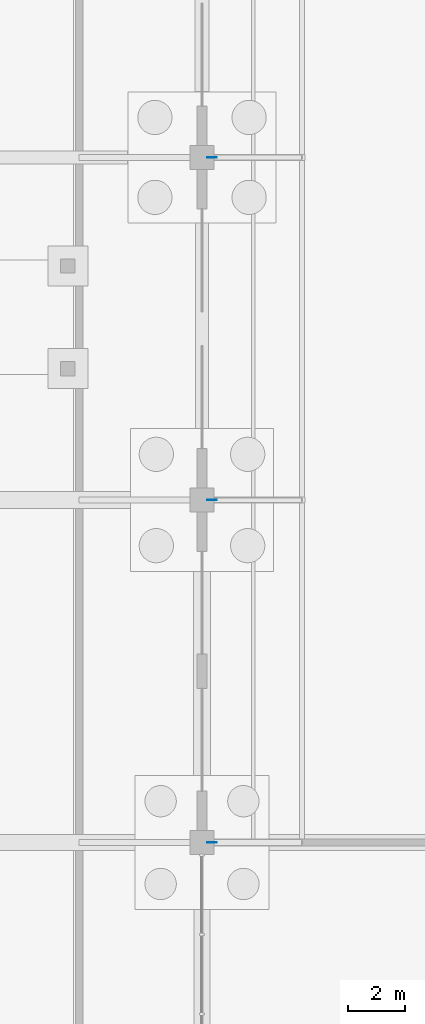
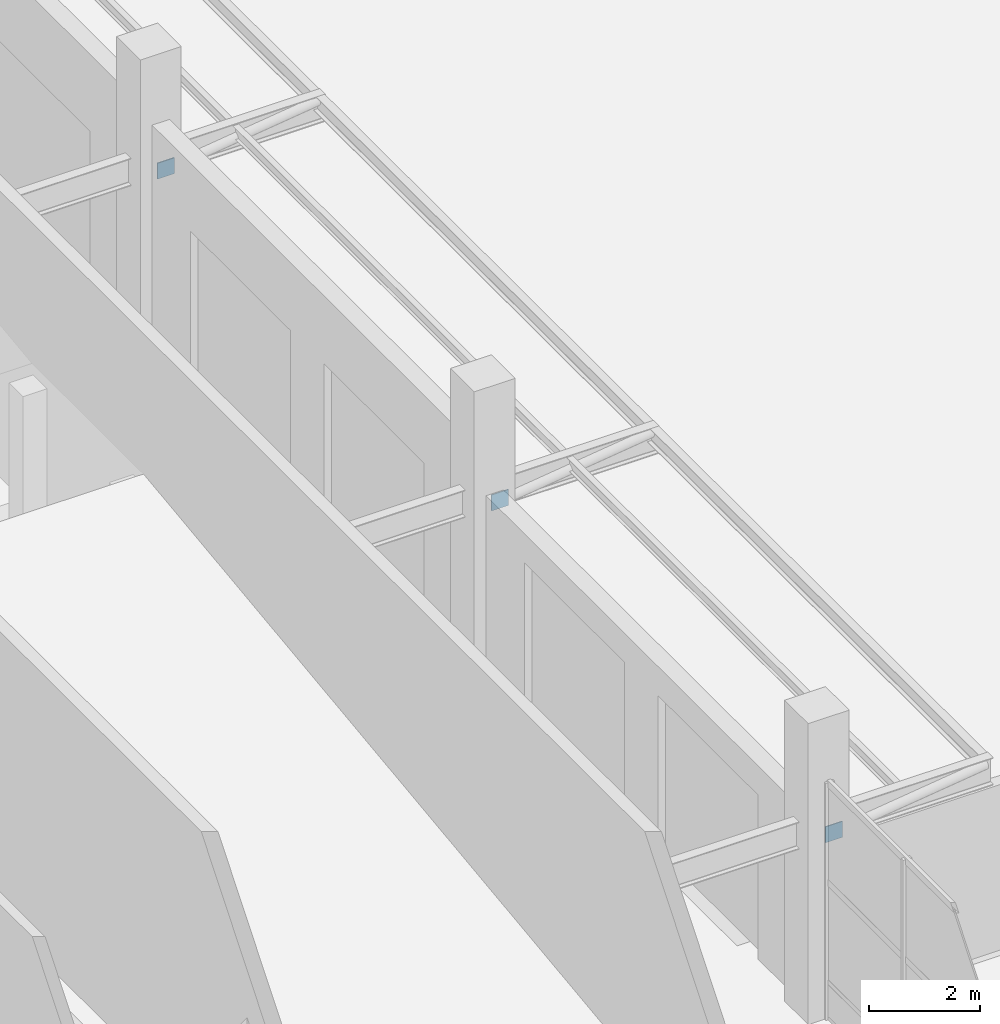
# One storey, part 74 of 117: 3 plates.
"""IFC4 building model written with IfcOpenShell, lengths in metres."""

from ifc_helpers import new_model, si_unit, direction, frame, origin, origin_2d, place, context, subcontext, project, spatial, rectangle, extrude, material, layer, layer_set, type_object, element, save


model = new_model("IFC4")

# Units and contexts
model_context = context("Model", 3, precision=1e-05, world=origin(), true_north=direction((0.0, 1.0)))
body_context = subcontext(model_context, "Body", "Model", "MODEL_VIEW")
ifc_project = project(units=[si_unit("LENGTHUNIT", "METRE"), si_unit("AREAUNIT", "SQUARE_METRE"), si_unit("VOLUMEUNIT", "CUBIC_METRE"), si_unit("PLANEANGLEUNIT", "RADIAN"), si_unit("MASSUNIT", "GRAM", prefix="KILO")], contexts=[model_context])

# Site, building, storey
site_placement = place(None, origin())
site = spatial("IfcSite", under=ifc_project, at=site_placement, CompositionType="ELEMENT")
building_placement = place(site_placement, origin())
building = spatial("IfcBuilding", under=site, at=building_placement, Name="Kamomehara Wholesale Market", CompositionType="ELEMENT")
storey_placement = place(building_placement, origin())
storey = spatial("IfcBuildingStorey", under=building, at=storey_placement, Name="L00", CompositionType="ELEMENT", Elevation=0.0)

# Plates
ifc_material = material(Name="Steel SN490B", Category="steel")
ifc_layer = layer(ifc_material, 0.02001953125)
ifc_layer_set = layer_set([ifc_layer], Name="Steel SN490B")
plate_type = type_object("IfcPlateType", Name="PLT-GUS-20", PredefinedType="USERDEFINED", material=ifc_layer_set)
for number, where, z_axis, x_axis, name in (
    (1, (36.35009765625, 60.0, 3.52490234375), (0.0, 0.0, 1.0), (1.0, 0.0, 0.0), "Canopy brace gusset plate V3 60"),
    (2, (36.35009765625, 72.0, 3.52490234375), (0.0, 0.0, 1.0), (1.0, 0.0, 0.0), "Canopy brace gusset plate V3 72"),
    (3, (36.35009765625, 84.0, 3.52490234375), (0.0, 0.0, 1.0), (1.0, 0.0, 0.0), "Canopy brace gusset plate V3 84"),
):
    element("IfcPlate", number, at=place(storey_placement, frame(where, z_axis=z_axis, x_axis=x_axis)), inside=storey, type_object=plate_type, Name=name, ObjectType="GUSSET PLATE", PredefinedType="USERDEFINED", context=body_context, shape_type="SweptSolid", body=[
        extrude(rectangle(XDim=0.35009765625, YDim=0.02001953125, at=origin_2d()), origin(), (0.0, 0.0, 1.0), 0.35009765625),
    ])

save(model, "model.ifc")
